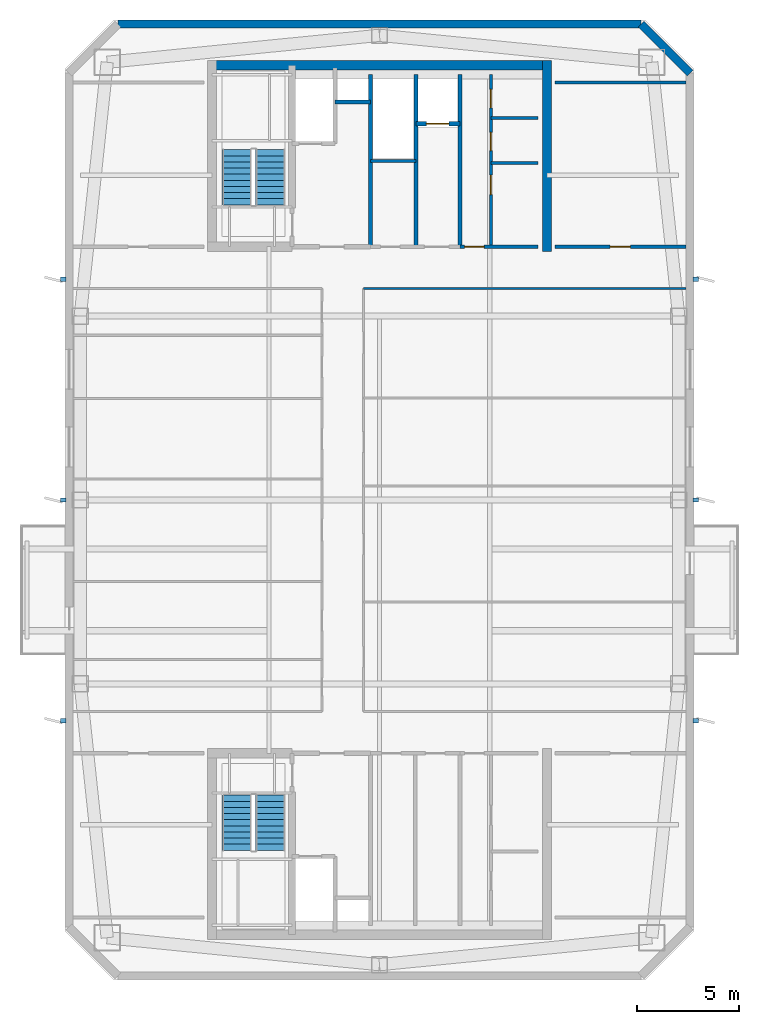
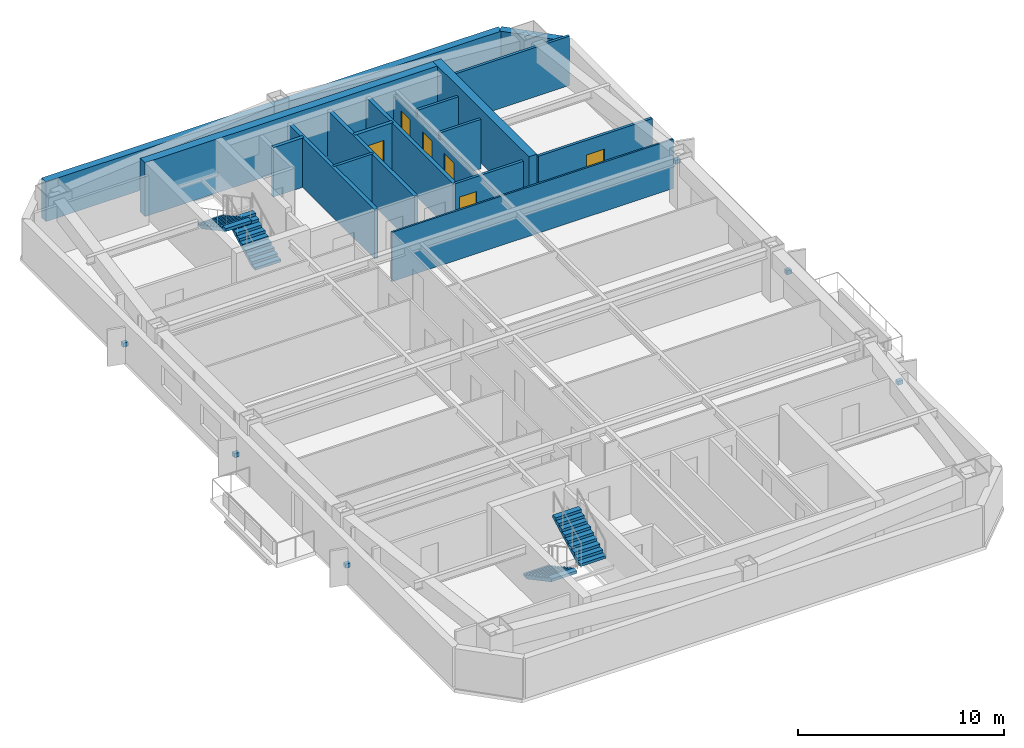
# One storey, part 4 of 7: 17 walls, 6 discrete accessories, 6 doors, 4 stair flights, 6 openings, 2 elements without a shape of their own.
"""IFC4 building model written with IfcOpenShell, lengths in metres."""

from ifc_helpers import new_model, si_unit, direction, frame, frame_2d, origin, origin_2d, place, context, subcontext, project, spatial, polyline, rectangle, outline, extrude, material, layer, layer_set, type_object, element, fill, aggregate, save


model = new_model("IFC4")

# Units and contexts
model_context = context("Model", 3, precision=1e-05, world=origin(), true_north=direction((0.0, 1.0)))
body_context = subcontext(model_context, "Body", "Model", "MODEL_VIEW")
ifc_project = project(units=[si_unit("LENGTHUNIT", "METRE"), si_unit("AREAUNIT", "SQUARE_METRE"), si_unit("VOLUMEUNIT", "CUBIC_METRE"), si_unit("PLANEANGLEUNIT", "RADIAN"), si_unit("MASSUNIT", "GRAM", prefix="KILO")], contexts=[model_context])

# Site, building, storey
site_placement = place(None, origin())
site = spatial("IfcSite", under=ifc_project, at=site_placement, CompositionType="ELEMENT")
building_placement = place(site_placement, origin())
building = spatial("IfcBuilding", under=site, at=building_placement, Name="Qiaolan Cultural Towers", CompositionType="ELEMENT")
storey_placement = place(building_placement, frame((0.0, 0.0, 256.800048828125)))
storey = spatial("IfcBuildingStorey", under=building, at=storey_placement, Name="L70", CompositionType="ELEMENT", Elevation=256.800048828125)

# Walls
ifc_material_1 = material(Name="Concrete C50", Category="concrete")
ifc_layer_1 = layer(ifc_material_1, 0.449951171875)
ifc_layer_set_1 = layer_set([ifc_layer_1], Name="Concrete C50")
wall_type_1 = type_object("IfcWallType", Name="WL-CORE-450", PredefinedType="SHEAR", material=ifc_layer_set_1)
wall_1_placement = place(storey_placement, frame((21.574951171875, 55.280029296875, 0.0), z_axis=(0.0, 0.0, 1.0), x_axis=(1.0, 0.0, 0.0)))
element("IfcWall", 1, at=wall_1_placement, inside=storey, type_object=wall_type_1, Name="L70 T1-CN Outer Core Shear Wall", PredefinedType="SHEAR", context=body_context, shape_type="SweptSolid", body=[
    extrude(rectangle(XDim=16.85009765625, YDim=0.449951171875, at=frame_2d((8.425048828125, 0.0))), origin(), (0.0, 0.0, 1.0), 3.199951171875),
])
wall_2_placement = place(storey_placement, frame((38.199951171875, 46.175048828125, 0.0), z_axis=(0.0, 0.0, 1.0), x_axis=(0.0, 1.0, 0.0)))
element("IfcWall", 2, at=wall_2_placement, inside=storey, type_object=wall_type_1, Name="L70 T1-CN East Core Shear Wall", PredefinedType="SHEAR", context=body_context, shape_type="SweptSolid", body=[
    extrude(rectangle(XDim=9.329833984375, YDim=0.449951171875, at=frame_2d((4.6650390625, 0.0))), origin(), (0.0, 0.0, 1.0), 3.199951171875),
])
ifc_material_2 = material(Name="Precast Concrete C50 Honed Stone Pier", Category="masonry")
ifc_layer_2 = layer(ifc_material_2, 0.39990234375)
ifc_layer_set_2 = layer_set([ifc_layer_2], Name="Precast Concrete C50 Honed Stone Pier")
wall_type_2 = type_object("IfcWallType", Name="WL-EXT-PIER-400", PredefinedType="SOLIDWALL", material=ifc_layer_set_2)
wall_3_placement = place(storey_placement, frame((17.199951171875, 57.300048828125, 0.0), z_axis=(0.0, 0.0, 1.0), x_axis=(1.0, 0.0, 0.0)))
element("IfcWall", 3, at=wall_3_placement, inside=storey, type_object=wall_type_2, Name="L70 West Tower Precast Pier Facade Wall F3", PredefinedType="SOLIDWALL", context=body_context, shape_type="SweptSolid", body=[
    extrude(rectangle(XDim=25.60009765625, YDim=0.39990234375, at=frame_2d((12.800048828125, 0.0))), origin(), (0.0, 0.0, 1.0), 2.35986328125),
])
wall_4_placement = place(storey_placement, frame((42.800048828125, 57.300048828125, 0.0), z_axis=(0.0, 0.0, 1.0), x_axis=(0.707070815327, -0.707142745217, 0.0)))
element("IfcWall", 4, at=wall_4_placement, inside=storey, type_object=wall_type_2, Name="L70 West Tower Precast Pier Facade Wall F4", PredefinedType="SOLIDWALL", context=body_context, shape_type="SweptSolid", body=[
    extrude(rectangle(XDim=3.39404296875, YDim=0.39990234375, at=frame_2d((1.697021484375, 0.0))), origin(), (0.0, 0.0, 1.0), 2.35986328125),
])
ifc_material_3 = material(Name="Concrete C35 Fire Wall", Category="concrete")
ifc_layer_3 = layer(ifc_material_3, 0.199951171875)
ifc_layer_set_3 = layer_set([ifc_layer_3], Name="Concrete C35 Fire Wall")
wall_type_3 = type_object("IfcWallType", Name="WL-FIRE-200", PredefinedType="PARTITIONING", material=ifc_layer_set_3)
wall_5_placement = place(storey_placement, frame((29.550048828125, 46.39990234375, 0.0), z_axis=(0.0, 0.0, 1.0), x_axis=(0.0, 1.0, 0.0)))
element("IfcWall", 5, at=wall_5_placement, inside=storey, type_object=wall_type_3, Name="L70 T1-CN Firefighting Zone Wall", PredefinedType="PARTITIONING", context=body_context, shape_type="SweptSolid", body=[
    extrude(rectangle(XDim=8.43017578125, YDim=0.199951171875, at=frame_2d((4.215087890625, 0.0))), origin(), (0.0, 0.0, 1.0), 2.925048828125),
])
wall_6_placement = place(storey_placement, frame((27.820068359375, 53.47998046875, 0.0), z_axis=(0.0, 0.0, 1.0), x_axis=(1.0, 0.0, 0.0)))
element("IfcWall", 6, at=wall_6_placement, inside=storey, type_object=wall_type_3, Name="L70 T1-CN Pressurization Shaft Front Wall", PredefinedType="PARTITIONING", context=body_context, shape_type="SweptSolid", body=[
    extrude(rectangle(XDim=1.72998046875, YDim=0.199951171875, at=frame_2d((0.864990234375, 0.0))), origin(), (0.0, 0.0, 1.0), 2.925048828125),
])
for number, where, z_axis, x_axis, name in (
    (7, (33.949951171875, 46.39990234375, 0.0), (0.0, 0.0, 1.0), (0.0, 1.0, 0.0), "L70 T1-CN Lift Core East Wall"),
    (8, (31.780029296875, 46.39990234375, 0.0), (0.0, 0.0, 1.0), (0.0, 1.0, 0.0), "L70 T1-CN Sky Shuttle Lift Zone Wall"),
):
    element("IfcWall", number, at=place(storey_placement, frame(where, z_axis=z_axis, x_axis=x_axis)), inside=storey, type_object=wall_type_3, Name=name, PredefinedType="PARTITIONING", context=body_context, shape_type="SweptSolid", body=[
        extrude(rectangle(XDim=8.43017578125, YDim=0.199951171875, at=frame_2d((4.215087890625, 0.0))), origin(), (0.0, 0.0, 1.0), 2.925048828125),
    ])

# Wall, opening, door
wall_7_placement = place(storey_placement, frame((31.780029296875, 52.419921875, 0.0), z_axis=(0.0, 0.0, 1.0), x_axis=(1.0, 0.0, 0.0)))
wall_7 = element("IfcWall", 9, at=wall_7_placement, inside=storey, type_object=wall_type_3, Name="L70 T1-CN Shuttle Lift Shaft Front", PredefinedType="PARTITIONING", context=body_context, shape_type="SweptSolid", body=[
    extrude(rectangle(XDim=2.169921875, YDim=0.199951171875, at=frame_2d((1.0849609375, 0.0))), origin(), (0.0, 0.0, 1.0), 2.925048828125),
])
opening_1_placement = place(wall_7_placement, frame((0.52001953125, 0.0, 0.0)))
opening_1 = element("IfcOpeningElement", 10, at=opening_1_placement, cuts=wall_7, Name="Opening LD-01", PredefinedType="OPENING", context=body_context, shape_type="SweptSolid", body=[
    extrude(rectangle(XDim=1.10009765625, YDim=2.050048828125, at=frame_2d((0.550048828125, 1.02490234375))), frame((0.0, 0.10986328125, 0.0), z_axis=(0.0, -1.0, 0.0), x_axis=(1.0, 0.0, 0.0)), (0.0, 0.0, 1.0), 0.219970703125),
])
ifc_material_4 = material(Name="Brushed Stainless Steel S30408 Centre-Parting Lift Landing Door", Category="steel")
door_type_1 = type_object("IfcDoorType", Name="DR-LIFT-1100", OperationType="NOTDEFINED", PredefinedType="DOOR", material=ifc_material_4)
door_1_placement = place(opening_1_placement, origin())
door_1 = element("IfcDoor", 11, at=door_1_placement, inside=storey, type_object=door_type_1, Name="L70 Sky Shuttle Lift Landing Door", OperationType="DOUBLE_DOOR_SLIDING", OverallHeight=2.050048828125, OverallWidth=1.10009765625, PredefinedType="DOOR", context=body_context, shape_type="SweptSolid", body=[
    extrude(rectangle(XDim=1.10009765625, YDim=2.050048828125, at=frame_2d((0.550048828125, 1.02490234375))), frame((0.0, 0.02490234375, 0.0), z_axis=(0.0, -1.0, 0.0), x_axis=(1.0, 0.0, 0.0)), (0.0, 0.0, 1.0), 0.050048828125),
])
fill(opening_1, door_1)

# Walls
ifc_material_5 = material(Name="Acoustic Double-Glazed Partition Frame", Category="glass")
ifc_layer_4 = layer(ifc_material_5, 0.10009765625)
ifc_layer_set_4 = layer_set([ifc_layer_4], Name="Acoustic Double-Glazed Partition Frame")
wall_type_4 = type_object("IfcWallType", Name="WL-GLAZED-100", PredefinedType="MOVABLE", material=ifc_layer_set_4)
wall_8_placement = place(storey_placement, frame((29.22509765625, 44.35009765625, 0.0), z_axis=(0.0, 0.0, 1.0), x_axis=(1.0, 0.0, 0.0)))
element("IfcWall", 12, at=wall_8_placement, inside=storey, type_object=wall_type_4, Name="L70 T1 North Corridor Right Wall", PredefinedType="MOVABLE", context=body_context, shape_type="SweptSolid", body=[
    extrude(rectangle(XDim=15.77490234375, YDim=0.10009765625, at=frame_2d((7.887451171875, 0.0))), origin(), (0.0, 0.0, 1.0), 2.925048828125),
])
ifc_material_6 = material(Name="Autoclaved Aerated Concrete Block B06", Category="concrete")
ifc_layer_5 = layer(ifc_material_6, 0.14990234375)
ifc_layer_set_5 = layer_set([ifc_layer_5], Name="Autoclaved Aerated Concrete Block B06")
wall_type_5 = type_object("IfcWallType", Name="WL-PART-150", PredefinedType="PARTITIONING", material=ifc_layer_set_5)
wall_9_placement = place(storey_placement, frame((29.550048828125, 50.60009765625, 0.0), z_axis=(0.0, 0.0, 1.0), x_axis=(1.0, 0.0, 0.0)))
element("IfcWall", 13, at=wall_9_placement, inside=storey, type_object=wall_type_5, Name="L70 T1-CN High-Zone Reclaimed Split", PredefinedType="PARTITIONING", context=body_context, shape_type="SweptSolid", body=[
    extrude(rectangle(XDim=2.22998046875, YDim=0.14990234375, at=frame_2d((1.114990234375, 0.0))), origin(), (0.0, 0.0, 1.0), 2.925048828125),
])

# Wall, opening, door
wall_10_placement = place(storey_placement, frame((33.949951171875, 46.39990234375, 0.0), z_axis=(0.0, 0.0, 1.0), x_axis=(1.0, 0.0, 0.0)))
wall_10 = element("IfcWall", 14, at=wall_10_placement, inside=storey, type_object=wall_type_5, Name="L70 T1-CN Sanitary Core Front Wall", PredefinedType="PARTITIONING", context=body_context, shape_type="SweptSolid", body=[
    extrude(rectangle(XDim=3.800048828125, YDim=0.14990234375, at=frame_2d((1.89990234375, 0.0))), origin(), (0.0, 0.0, 1.0), 2.925048828125),
])
opening_2_placement = place(wall_10_placement, frame((0.219970703125, 0.0, 0.0)))
opening_2 = element("IfcOpeningElement", 15, at=opening_2_placement, cuts=wall_10, Name="Opening ID-05", PredefinedType="OPENING", context=body_context, shape_type="SweptSolid", body=[
    extrude(rectangle(XDim=0.949951171875, YDim=2.050048828125, at=frame_2d((0.47509765625, 1.02490234375))), frame((0.0, 0.0849609375, 0.0), z_axis=(0.0, -1.0, 0.0), x_axis=(1.0, 0.0, 0.0)), (0.0, 0.0, 1.0), 0.169921875),
])
ifc_material_7 = material(Name="Fire-Rated Laminate Accessible Core Door", Category="timber")
door_type_2 = type_object("IfcDoorType", Name="DR-INT-950", OperationType="NOTDEFINED", PredefinedType="DOOR", material=ifc_material_7)
door_2_placement = place(opening_2_placement, origin())
door_2 = element("IfcDoor", 16, at=door_2_placement, inside=storey, type_object=door_type_2, Name="L70 Sanitary Vestibule Door", OperationType="SINGLE_SWING_LEFT", OverallHeight=2.050048828125, OverallWidth=0.949951171875, PredefinedType="DOOR", context=body_context, shape_type="SweptSolid", body=[
    extrude(rectangle(XDim=0.949951171875, YDim=2.050048828125, at=frame_2d((0.47509765625, 1.02490234375))), frame((0.0, 0.02490234375, 0.0), z_axis=(0.0, -1.0, 0.0), x_axis=(1.0, 0.0, 0.0)), (0.0, 0.0, 1.0), 0.050048828125),
])
fill(opening_2, door_2)

# Wall, openings, doors
wall_11_placement = place(storey_placement, frame((35.449951171875, 46.39990234375, 0.0), z_axis=(0.0, 0.0, 1.0), x_axis=(0.0, 1.0, 0.0)))
wall_11 = element("IfcWall", 17, at=wall_11_placement, inside=storey, type_object=wall_type_5, Name="L70 T1-CN Sanitary Vestibule Wall", PredefinedType="PARTITIONING", context=body_context, shape_type="SweptSolid", body=[
    extrude(rectangle(XDim=8.43017578125, YDim=0.14990234375, at=frame_2d((4.215087890625, 0.0))), origin(), (0.0, 0.0, 1.0), 2.514892578125),
])
opening_3_placement = place(wall_11_placement, frame((2.550048828125, 0.0, 0.0)))
opening_3 = element("IfcOpeningElement", 18, at=opening_3_placement, cuts=wall_11, Name="Opening ID-05", PredefinedType="OPENING", context=body_context, shape_type="SweptSolid", body=[
    extrude(rectangle(XDim=0.949951171875, YDim=2.050048828125, at=frame_2d((0.47509765625, 1.02490234375))), frame((0.0, 0.0849609375, 0.0), z_axis=(0.0, -1.0, 0.0), x_axis=(1.0, 0.0, 0.0)), (0.0, 0.0, 1.0), 0.169921875),
])
opening_4_placement = place(wall_11_placement, frame((4.699951171875, 0.0, 0.0)))
opening_4 = element("IfcOpeningElement", 19, at=opening_4_placement, cuts=wall_11, Name="Opening ID-06", PredefinedType="OPENING", context=body_context, shape_type="SweptSolid", body=[
    extrude(rectangle(XDim=0.89990234375, YDim=2.050048828125, at=frame_2d((0.449951171875, 1.02490234375))), frame((0.0, 0.0849609375, 0.0), z_axis=(0.0, -1.0, 0.0), x_axis=(1.0, 0.0, 0.0)), (0.0, 0.0, 1.0), 0.169921875),
])
opening_5_placement = place(wall_11_placement, frame((6.800048828125, 0.0, 0.0)))
opening_5 = element("IfcOpeningElement", 20, at=opening_5_placement, cuts=wall_11, Name="Opening ID-06", PredefinedType="OPENING", context=body_context, shape_type="SweptSolid", body=[
    extrude(rectangle(XDim=0.89990234375, YDim=2.050048828125, at=frame_2d((0.449951171875, 1.02490234375))), frame((0.0, 0.0849609375, 0.0), z_axis=(0.0, -1.0, 0.0), x_axis=(1.0, 0.0, 0.0)), (0.0, 0.0, 1.0), 0.169921875),
])
ifc_material_8 = material(Name="Fire-Rated Laminate Core Service Door", Category="timber")
door_type_3 = type_object("IfcDoorType", Name="DR-INT-900", OperationType="NOTDEFINED", PredefinedType="DOOR", material=ifc_material_8)
door_3_placement = place(opening_4_placement, origin())
door_3 = element("IfcDoor", 21, at=door_3_placement, inside=storey, type_object=door_type_3, Name="L70 Men Washroom Door", OperationType="SINGLE_SWING_LEFT", OverallHeight=2.050048828125, OverallWidth=0.89990234375, PredefinedType="DOOR", context=body_context, shape_type="SweptSolid", body=[
    extrude(rectangle(XDim=0.89990234375, YDim=2.050048828125, at=frame_2d((0.449951171875, 1.02490234375))), frame((0.0, 0.02490234375, 0.0), z_axis=(0.0, -1.0, 0.0), x_axis=(1.0, 0.0, 0.0)), (0.0, 0.0, 1.0), 0.050048828125),
])
fill(opening_4, door_3)
door_4_placement = place(opening_5_placement, origin())
door_4 = element("IfcDoor", 22, at=door_4_placement, inside=storey, type_object=door_type_3, Name="L70 Women Washroom Door", OperationType="SINGLE_SWING_RIGHT", OverallHeight=2.050048828125, OverallWidth=0.89990234375, PredefinedType="DOOR", context=body_context, shape_type="SweptSolid", body=[
    extrude(rectangle(XDim=0.89990234375, YDim=2.050048828125, at=frame_2d((0.449951171875, 1.02490234375))), frame((0.0, 0.02490234375, 0.0), z_axis=(0.0, -1.0, 0.0), x_axis=(1.0, 0.0, 0.0)), (0.0, 0.0, 1.0), 0.050048828125),
])
fill(opening_5, door_4)
door_5_placement = place(opening_3_placement, origin())
door_5 = element("IfcDoor", 23, at=door_5_placement, inside=storey, type_object=door_type_2, Name="L70 Accessible Family Washroom Door", OperationType="SINGLE_SWING_LEFT", OverallHeight=2.050048828125, OverallWidth=0.949951171875, PredefinedType="DOOR", context=body_context, shape_type="SweptSolid", body=[
    extrude(rectangle(XDim=0.949951171875, YDim=2.050048828125, at=frame_2d((0.47509765625, 1.02490234375))), frame((0.0, 0.02490234375, 0.0), z_axis=(0.0, -1.0, 0.0), x_axis=(1.0, 0.0, 0.0)), (0.0, 0.0, 1.0), 0.050048828125),
])
fill(opening_3, door_5)

# Walls
for number, where, z_axis, x_axis, name in (
    (24, (35.449951171875, 50.5, 0.0), (0.0, 0.0, 1.0), (1.0, 0.0, 0.0), "L70 T1-CN Restroom Split Wall 1"),
    (25, (35.449951171875, 52.699951171875, 0.0), (0.0, 0.0, 1.0), (1.0, 0.0, 0.0), "L70 T1-CN Restroom Split Wall 2"),
):
    element("IfcWall", number, at=place(storey_placement, frame(where, z_axis=z_axis, x_axis=x_axis)), inside=storey, type_object=wall_type_5, Name=name, PredefinedType="PARTITIONING", context=body_context, shape_type="SweptSolid", body=[
        extrude(rectangle(XDim=2.300048828125, YDim=0.14990234375, at=frame_2d((1.14990234375, 0.0))), origin(), (0.0, 0.0, 1.0), 2.925048828125),
    ])
wall_12_placement = place(storey_placement, frame((38.60009765625, 54.449951171875, 0.0), z_axis=(0.0, 0.0, 1.0), x_axis=(1.0, 0.0, 0.0)))
element("IfcWall", 26, at=wall_12_placement, inside=storey, type_object=wall_type_5, Name="L70 T1 Flank Wall FLK-NE", PredefinedType="PARTITIONING", context=body_context, shape_type="SweptSolid", body=[
    extrude(rectangle(XDim=6.39990234375, YDim=0.14990234375, at=frame_2d((3.199951171875, 0.0))), origin(), (0.0, 0.0, 1.0), 2.925048828125),
])

# Wall, opening, door
wall_13_placement = place(storey_placement, frame((38.60009765625, 46.39990234375, 0.0), z_axis=(0.0, 0.0, 1.0), x_axis=(1.0, 0.0, 0.0)))
wall_13 = element("IfcWall", 27, at=wall_13_placement, inside=storey, type_object=wall_type_5, Name="L70 T1 Flank Front FLK-NE", PredefinedType="PARTITIONING", context=body_context, shape_type="SweptSolid", body=[
    extrude(rectangle(XDim=6.39990234375, YDim=0.14990234375, at=frame_2d((3.199951171875, 0.0))), origin(), (0.0, 0.0, 1.0), 2.925048828125),
])
opening_6_placement = place(wall_13_placement, frame((2.68798828125, 0.0, 0.0)))
opening_6 = element("IfcOpeningElement", 28, at=opening_6_placement, cuts=wall_13, Name="Opening ID-04", PredefinedType="OPENING", context=body_context, shape_type="SweptSolid", body=[
    extrude(rectangle(XDim=1.0, YDim=2.050048828125, at=frame_2d((0.5, 1.02490234375))), frame((0.0, 0.0849609375, 0.0), z_axis=(0.0, -1.0, 0.0), x_axis=(1.0, 0.0, 0.0)), (0.0, 0.0, 1.0), 0.169921875),
])
ifc_material_9 = material(Name="Oak Veneer Acoustic Office Door", Category="timber")
door_type_4 = type_object("IfcDoorType", Name="DR-INT-1000", OperationType="NOTDEFINED", PredefinedType="DOOR", material=ifc_material_9)
door_6_placement = place(opening_6_placement, origin())
door_6 = element("IfcDoor", 29, at=door_6_placement, inside=storey, type_object=door_type_4, Name="L70 T1 Corner Studio Door", OperationType="SINGLE_SWING_LEFT", OverallHeight=2.050048828125, OverallWidth=1.0, PredefinedType="DOOR", context=body_context, shape_type="SweptSolid", body=[
    extrude(rectangle(XDim=1.0, YDim=2.050048828125, at=frame_2d((0.5, 1.02490234375))), frame((0.0, 0.02490234375, 0.0), z_axis=(0.0, -1.0, 0.0), x_axis=(1.0, 0.0, 0.0)), (0.0, 0.0, 1.0), 0.050048828125),
])
fill(opening_6, door_6)

# Stair, stair flights
ifc_material_10 = material(Name="Concrete C45", Category="concrete")
stair_type = type_object("IfcStairType", Name="STR-CORE-1500", PredefinedType="HALF_TURN_STAIR", material=ifc_material_10)
stair_1_placement = place(storey_placement, origin())
stair_1 = element("IfcStair", 30, at=stair_1_placement, inside=storey, type_object=stair_type, Name="L70 Smokeproof Exit Stair ST-W1", PredefinedType="HALF_TURN_STAIR")
ifc_material_11 = material(Name="Concrete C45", Category="concrete")
stair_flight_type = type_object("IfcStairFlightType", Name="STR-CORE-1500-FL", PredefinedType="STRAIGHT", material=ifc_material_11)
stair_flight_1_placement = place(storey_placement, frame((23.02001953125, 19.550048828125, 0.0), z_axis=(0.0, 0.0, 1.0), x_axis=(0.0, -1.0, 0.0)))
stair_flight_1 = element("IfcStairFlight", 31, at=stair_flight_1_placement, type_object=stair_flight_type, Name="ST-W1 flight 1", NumberOfRisers=10, NumberOfTreads=9, PredefinedType="STRAIGHT", RiserHeight=0.16, TreadLength=0.3, context=body_context, shape_type="SweptSolid", body=[
    extrude(outline(polyline([(0.0, 0.0), (0.0, 0.159912109375), (0.300048828125, 0.159912109375), (0.300048828125, 0.320068359375), (0.60009765625, 0.320068359375), (0.60009765625, 0.47998046875), (0.89990234375, 0.47998046875), (0.89990234375, 0.639892578125), (1.199951171875, 0.639892578125), (1.199951171875, 0.800048828125), (1.5, 0.800048828125), (1.5, 0.9599609375), (1.800048828125, 0.9599609375), (1.800048828125, 1.1201171875), (2.10009765625, 1.1201171875), (2.10009765625, 1.280029296875), (2.39990234375, 1.280029296875), (2.39990234375, 1.43994140625), (2.699951171875, 1.43994140625), (2.699951171875, 1.60009765625), (2.699951171875, 1.27001953125), (0.318603515625, 0.0), (0.0, 0.0)])), frame((0.0, 0.719970703125, 0.0), z_axis=(0.0, -1.0, 0.0), x_axis=(1.0, 0.0, 0.0)), (0.0, 0.0, 1.0), 1.43994140625),
])
stair_flight_2_placement = place(storey_placement, frame((24.659912109375, 16.85009765625, 1.599853515625), z_axis=(0.0, 0.0, 1.0), x_axis=(0.0, 1.0, 0.0)))
stair_flight_2 = element("IfcStairFlight", 32, at=stair_flight_2_placement, type_object=stair_flight_type, Name="ST-W1 flight 2", NumberOfRisers=10, NumberOfTreads=9, PredefinedType="STRAIGHT", RiserHeight=0.16, TreadLength=0.3, context=body_context, shape_type="SweptSolid", body=[
    extrude(outline(polyline([(0.0, 0.0), (0.0, 0.159912109375), (0.300048828125, 0.159912109375), (0.300048828125, 0.320068359375), (0.60009765625, 0.320068359375), (0.60009765625, 0.47998046875), (0.89990234375, 0.47998046875), (0.89990234375, 0.639892578125), (1.199951171875, 0.639892578125), (1.199951171875, 0.800048828125), (1.5, 0.800048828125), (1.5, 0.9599609375), (1.800048828125, 0.9599609375), (1.800048828125, 1.1201171875), (2.10009765625, 1.1201171875), (2.10009765625, 1.280029296875), (2.39990234375, 1.280029296875), (2.39990234375, 1.43994140625), (2.699951171875, 1.43994140625), (2.699951171875, 1.60009765625), (2.699951171875, 1.27001953125), (0.318603515625, 0.0), (0.0, 0.0)])), frame((0.0, 0.719970703125, 0.0), z_axis=(0.0, -1.0, 0.0), x_axis=(1.0, 0.0, 0.0)), (0.0, 0.0, 1.0), 1.43994140625),
])
aggregate(stair_1, [stair_flight_1, stair_flight_2])

stair_2_placement = place(storey_placement, origin())
stair_2 = element("IfcStair", 33, at=stair_2_placement, inside=storey, type_object=stair_type, Name="L70 Smokeproof Exit Stair ST-W2", PredefinedType="HALF_TURN_STAIR")
stair_flight_3_placement = place(storey_placement, frame((24.659912109375, 48.449951171875, 0.0), z_axis=(0.0, 0.0, 1.0), x_axis=(0.0, 1.0, 0.0)))
stair_flight_3 = element("IfcStairFlight", 34, at=stair_flight_3_placement, type_object=stair_flight_type, Name="ST-W2 flight 1", NumberOfRisers=10, NumberOfTreads=9, PredefinedType="STRAIGHT", RiserHeight=0.16, TreadLength=0.3, context=body_context, shape_type="SweptSolid", body=[
    extrude(outline(polyline([(0.0, 0.0), (0.0, 0.159912109375), (0.300048828125, 0.159912109375), (0.300048828125, 0.320068359375), (0.60009765625, 0.320068359375), (0.60009765625, 0.47998046875), (0.89990234375, 0.47998046875), (0.89990234375, 0.639892578125), (1.199951171875, 0.639892578125), (1.199951171875, 0.800048828125), (1.5, 0.800048828125), (1.5, 0.9599609375), (1.800048828125, 0.9599609375), (1.800048828125, 1.1201171875), (2.10009765625, 1.1201171875), (2.10009765625, 1.280029296875), (2.39990234375, 1.280029296875), (2.39990234375, 1.43994140625), (2.699951171875, 1.43994140625), (2.699951171875, 1.60009765625), (2.699951171875, 1.27001953125), (0.318603515625, 0.0), (0.0, 0.0)])), frame((0.0, 0.719970703125, 0.0), z_axis=(0.0, -1.0, 0.0), x_axis=(1.0, 0.0, 0.0)), (0.0, 0.0, 1.0), 1.43994140625),
])
stair_flight_4_placement = place(storey_placement, frame((23.02001953125, 51.14990234375, 1.599853515625), z_axis=(0.0, 0.0, 1.0), x_axis=(0.0, -1.0, 0.0)))
stair_flight_4 = element("IfcStairFlight", 35, at=stair_flight_4_placement, type_object=stair_flight_type, Name="ST-W2 flight 2", NumberOfRisers=10, NumberOfTreads=9, PredefinedType="STRAIGHT", RiserHeight=0.16, TreadLength=0.3, context=body_context, shape_type="SweptSolid", body=[
    extrude(outline(polyline([(0.0, 0.0), (0.0, 0.159912109375), (0.300048828125, 0.159912109375), (0.300048828125, 0.320068359375), (0.60009765625, 0.320068359375), (0.60009765625, 0.47998046875), (0.89990234375, 0.47998046875), (0.89990234375, 0.639892578125), (1.199951171875, 0.639892578125), (1.199951171875, 0.800048828125), (1.5, 0.800048828125), (1.5, 0.9599609375), (1.800048828125, 0.9599609375), (1.800048828125, 1.1201171875), (2.10009765625, 1.1201171875), (2.10009765625, 1.280029296875), (2.39990234375, 1.280029296875), (2.39990234375, 1.43994140625), (2.699951171875, 1.43994140625), (2.699951171875, 1.60009765625), (2.699951171875, 1.27001953125), (0.318603515625, 0.0), (0.0, 0.0)])), frame((0.0, 0.719970703125, 0.0), z_axis=(0.0, -1.0, 0.0), x_axis=(1.0, 0.0, 0.0)), (0.0, 0.0, 1.0), 1.43994140625),
])
aggregate(stair_2, [stair_flight_3, stair_flight_4])

# Discrete accessories
ifc_material_12 = material(Name="Stainless Steel S31608 Facade Anchor Bracket", Category="steel")
discrete_accessory_type = type_object("IfcDiscreteAccessoryType", Name="ACC-BRK-SS", PredefinedType="BRACKET", material=ifc_material_12)
for number, where, z_axis, x_axis, name in (
    (36, (14.52001953125, 23.199951171875, 1.06005859375), (0.0, 0.0, 1.0), (1.0, 0.0, 0.0), "L70 T1 Facade Fin Anchor Bracket W1"),
    (37, (14.52001953125, 34.0, 1.06005859375), (0.0, 0.0, 1.0), (1.0, 0.0, 0.0), "L70 T1 Facade Fin Anchor Bracket W2"),
    (38, (14.52001953125, 44.800048828125, 1.06005859375), (0.0, 0.0, 1.0), (1.0, 0.0, 0.0), "L70 T1 Facade Fin Anchor Bracket W3"),
    (39, (45.47998046875, 23.199951171875, 1.06005859375), (0.0, 0.0, 1.0), (1.0, 0.0, 0.0), "L70 T1 Facade Fin Anchor Bracket E1"),
    (40, (45.47998046875, 34.0, 1.06005859375), (0.0, 0.0, 1.0), (1.0, 0.0, 0.0), "L70 T1 Facade Fin Anchor Bracket E2"),
    (41, (45.47998046875, 44.800048828125, 1.06005859375), (0.0, 0.0, 1.0), (1.0, 0.0, 0.0), "L70 T1 Facade Fin Anchor Bracket E3"),
):
    element("IfcDiscreteAccessory", number, at=place(storey_placement, frame(where, z_axis=z_axis, x_axis=x_axis)), inside=storey, type_object=discrete_accessory_type, Name=name, PredefinedType="BRACKET", context=body_context, shape_type="SweptSolid", body=[
        extrude(rectangle(XDim=0.280029296875, YDim=0.219970703125, at=origin_2d()), origin(), (0.0, 0.0, 1.0), 0.239990234375),
    ])

save(model, "model.ifc")
